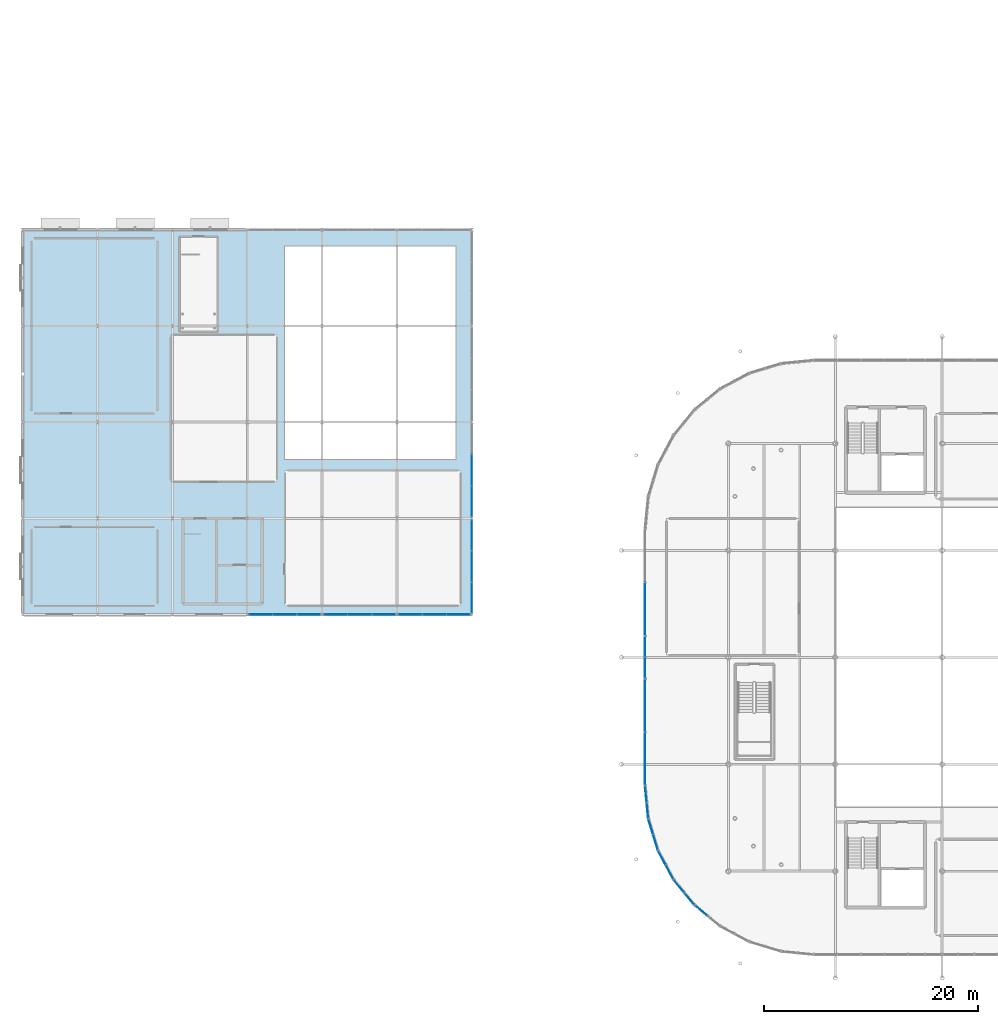
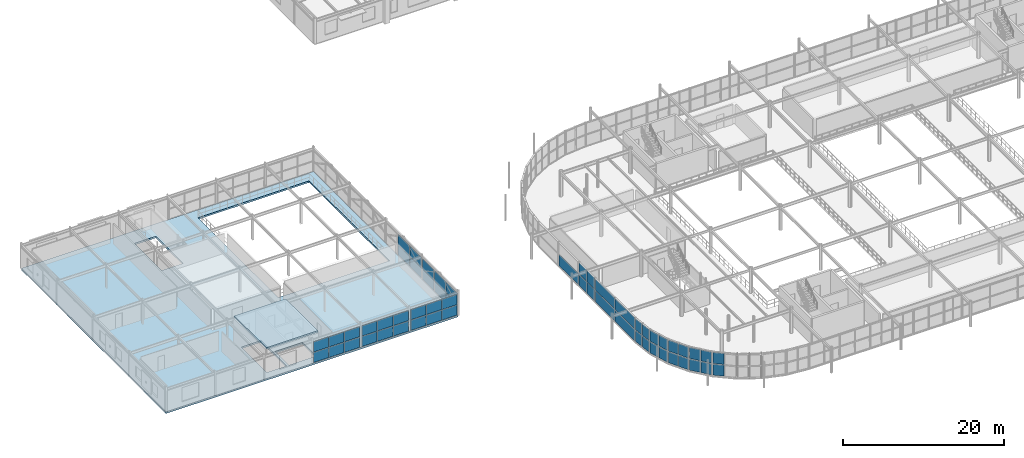
# One storey, part 64 of 98: 55 plates, 2 slabs, 13 elements without a shape of their own.
"""IFC4 building model written with IfcOpenShell, lengths in metres."""

from ifc_helpers import new_model, si_unit, derived_unit, direction, frame, origin, origin_2d_with_axis, place, context, subcontext, project, spatial, polyline, rectangle, outline, extrude, material, layer, layer_set, type_object, element, aggregate, save


model = new_model("IFC4")

# Units and contexts
model_context = context("Model", 3, precision=1e-05, world=origin(), true_north=direction((0.0, 1.0)))
body_context = subcontext(model_context, "Body", "Model", "MODEL_VIEW")
ifc_project = project(units=[si_unit("LENGTHUNIT", "METRE"), si_unit("AREAUNIT", "SQUARE_METRE"), si_unit("VOLUMEUNIT", "CUBIC_METRE"), si_unit("PLANEANGLEUNIT", "RADIAN"), si_unit("MASSUNIT", "GRAM", prefix="KILO"), derived_unit("THERMALTRANSMITTANCEUNIT", [(si_unit("POWERUNIT", "WATT"), 1), (si_unit("LENGTHUNIT", "METRE"), -2), (si_unit("THERMODYNAMICTEMPERATUREUNIT", "KELVIN"), -1)])], contexts=[model_context])

# Site, building, storey
site_placement = place(None, origin())
site = spatial("IfcSite", under=ifc_project, at=site_placement, CompositionType="ELEMENT")
building_placement = place(site_placement, origin())
building = spatial("IfcBuilding", under=site, at=building_placement, Name="Cinnabar Yard Market Hall", CompositionType="ELEMENT")
storey_placement = place(building_placement, frame((0.0, 0.0, 4.5)))
storey = spatial("IfcBuildingStorey", under=building, at=storey_placement, Name="L01", CompositionType="ELEMENT", Elevation=4.5)

# Curtain wall, plates
ifc_material_1 = material(Name="Anodised bronze aluminium curved-chord facade", Category="aluminium")
curtain_wall_type_1 = type_object("IfcCurtainWallType", Name="CW-CWC031x36", PredefinedType="NOTDEFINED", material=ifc_material_1)
curtain_wall_1_placement = place(storey_placement, origin())
curtain_wall_1 = element("IfcCurtainWall", 1, at=curtain_wall_1_placement, inside=storey, type_object=curtain_wall_type_1, Name="Corner SW Chord 1 L01", PredefinedType="NOTDEFINED")
ifc_material_2 = material(Name="Low-E laminated glass", Category="glass")
ifc_layer_1 = layer(ifc_material_2, 0.031982421875)
ifc_layer_set_1 = layer_set([ifc_layer_1], Name="Low-E laminated glass")
plate_type_1 = type_object("IfcPlateType", Name="CWP-GP141x169", PredefinedType="CURTAIN_PANEL", material=ifc_layer_set_1)
plate_1_placement = place(storey_placement, frame((68.278076171875, 31.20703125, 0.090087890625), z_axis=(0.0, 0.0, 1.0), x_axis=(0.098020369342, -0.995184408637, 0.0)))
plate_1 = element("IfcPlate", 2, at=plate_1_placement, type_object=plate_type_1, Name="CWC031x36 panel 1.1", PredefinedType="CURTAIN_PANEL", context=body_context, shape_type="SweptSolid", body=[
    extrude(rectangle(XDim=1.41357421875, YDim=0.031982421875, at=origin_2d_with_axis()), origin(), (0.0, 0.0, 1.0), 1.68994140625),
])
plate_2_placement = place(storey_placement, frame((68.278076171875, 31.20703125, 1.8701171875), z_axis=(0.0, 0.0, 1.0), x_axis=(0.098020369342, -0.995184408637, 0.0)))
plate_2 = element("IfcPlate", 3, at=plate_2_placement, type_object=plate_type_1, Name="CWC031x36 panel 1.2", PredefinedType="CURTAIN_PANEL", context=body_context, shape_type="SweptSolid", body=[
    extrude(rectangle(XDim=1.41357421875, YDim=0.031982421875, at=origin_2d_with_axis()), origin(), (0.0, 0.0, 1.0), 1.68994140625),
])
plate_3_placement = place(storey_placement, frame((68.425537109375, 29.710693359375, 0.090087890625), z_axis=(0.0, 0.0, 1.0), x_axis=(0.098020369342, -0.995184408637, 0.0)))
plate_3 = element("IfcPlate", 4, at=plate_3_placement, type_object=plate_type_1, Name="CWC031x36 panel 2.1", PredefinedType="CURTAIN_PANEL", context=body_context, shape_type="SweptSolid", body=[
    extrude(rectangle(XDim=1.41357421875, YDim=0.031982421875, at=origin_2d_with_axis()), origin(), (0.0, 0.0, 1.0), 1.68994140625),
])
plate_4_placement = place(storey_placement, frame((68.425537109375, 29.710693359375, 1.8701171875), z_axis=(0.0, 0.0, 1.0), x_axis=(0.098020369342, -0.995184408637, 0.0)))
plate_4 = element("IfcPlate", 5, at=plate_4_placement, type_object=plate_type_1, Name="CWC031x36 panel 2.2", PredefinedType="CURTAIN_PANEL", context=body_context, shape_type="SweptSolid", body=[
    extrude(rectangle(XDim=1.41357421875, YDim=0.031982421875, at=origin_2d_with_axis()), origin(), (0.0, 0.0, 1.0), 1.68994140625),
])
aggregate(curtain_wall_1, [plate_1, plate_2, plate_3, plate_4])

curtain_wall_2_placement = place(storey_placement, origin())
curtain_wall_2 = element("IfcCurtainWall", 6, at=curtain_wall_2_placement, inside=storey, type_object=curtain_wall_type_1, Name="Corner SW Chord 2 L01", PredefinedType="NOTDEFINED")
plate_5_placement = place(storey_placement, frame((68.73486328125, 28.155029296875, 0.090087890625), z_axis=(0.0, 0.0, 1.0), x_axis=(0.290278891325, -0.956942090856, 0.0)))
plate_5 = element("IfcPlate", 7, at=plate_5_placement, type_object=plate_type_1, Name="CWC031x36 panel 1.1", PredefinedType="CURTAIN_PANEL", context=body_context, shape_type="SweptSolid", body=[
    extrude(rectangle(XDim=1.41357421875, YDim=0.031982421875, at=origin_2d_with_axis()), origin(), (0.0, 0.0, 1.0), 1.68994140625),
])
plate_6_placement = place(storey_placement, frame((68.73486328125, 28.155029296875, 1.8701171875), z_axis=(0.0, 0.0, 1.0), x_axis=(0.290278891325, -0.956942090856, 0.0)))
plate_6 = element("IfcPlate", 8, at=plate_6_placement, type_object=plate_type_1, Name="CWC031x36 panel 1.2", PredefinedType="CURTAIN_PANEL", context=body_context, shape_type="SweptSolid", body=[
    extrude(rectangle(XDim=1.41357421875, YDim=0.031982421875, at=origin_2d_with_axis()), origin(), (0.0, 0.0, 1.0), 1.68994140625),
])
plate_7_placement = place(storey_placement, frame((69.17138671875, 26.716064453125, 0.090087890625), z_axis=(0.0, 0.0, 1.0), x_axis=(0.290278891325, -0.956942090856, 0.0)))
plate_7 = element("IfcPlate", 9, at=plate_7_placement, type_object=plate_type_1, Name="CWC031x36 panel 2.1", PredefinedType="CURTAIN_PANEL", context=body_context, shape_type="SweptSolid", body=[
    extrude(rectangle(XDim=1.41357421875, YDim=0.031982421875, at=origin_2d_with_axis()), origin(), (0.0, 0.0, 1.0), 1.68994140625),
])
plate_8_placement = place(storey_placement, frame((69.17138671875, 26.716064453125, 1.8701171875), z_axis=(0.0, 0.0, 1.0), x_axis=(0.290278891325, -0.956942090856, 0.0)))
plate_8 = element("IfcPlate", 10, at=plate_8_placement, type_object=plate_type_1, Name="CWC031x36 panel 2.2", PredefinedType="CURTAIN_PANEL", context=body_context, shape_type="SweptSolid", body=[
    extrude(rectangle(XDim=1.41357421875, YDim=0.031982421875, at=origin_2d_with_axis()), origin(), (0.0, 0.0, 1.0), 1.68994140625),
])
aggregate(curtain_wall_2, [plate_5, plate_6, plate_7, plate_8])

curtain_wall_3_placement = place(storey_placement, origin())
curtain_wall_3 = element("IfcCurtainWall", 11, at=curtain_wall_3_placement, inside=storey, type_object=curtain_wall_type_1, Name="Corner SW Chord 3 L01", PredefinedType="NOTDEFINED")
plate_9_placement = place(storey_placement, frame((69.7783203125, 25.2509765625, 0.090087890625), z_axis=(0.0, 0.0, 1.0), x_axis=(0.471404114786, -0.881917320707, 0.0)))
plate_9 = element("IfcPlate", 12, at=plate_9_placement, type_object=plate_type_1, Name="CWC031x36 panel 1.1", PredefinedType="CURTAIN_PANEL", context=body_context, shape_type="SweptSolid", body=[
    extrude(rectangle(XDim=1.41357421875, YDim=0.031982421875, at=origin_2d_with_axis()), origin(), (0.0, 0.0, 1.0), 1.68994140625),
])
plate_10_placement = place(storey_placement, frame((69.7783203125, 25.2509765625, 1.8701171875), z_axis=(0.0, 0.0, 1.0), x_axis=(0.471404114786, -0.881917320707, 0.0)))
plate_10 = element("IfcPlate", 13, at=plate_10_placement, type_object=plate_type_1, Name="CWC031x36 panel 1.2", PredefinedType="CURTAIN_PANEL", context=body_context, shape_type="SweptSolid", body=[
    extrude(rectangle(XDim=1.41357421875, YDim=0.031982421875, at=origin_2d_with_axis()), origin(), (0.0, 0.0, 1.0), 1.68994140625),
])
plate_11_placement = place(storey_placement, frame((70.487060546875, 23.9248046875, 0.090087890625), z_axis=(0.0, 0.0, 1.0), x_axis=(0.471404114786, -0.881917320707, 0.0)))
plate_11 = element("IfcPlate", 14, at=plate_11_placement, type_object=plate_type_1, Name="CWC031x36 panel 2.1", PredefinedType="CURTAIN_PANEL", context=body_context, shape_type="SweptSolid", body=[
    extrude(rectangle(XDim=1.41357421875, YDim=0.031982421875, at=origin_2d_with_axis()), origin(), (0.0, 0.0, 1.0), 1.68994140625),
])
plate_12_placement = place(storey_placement, frame((70.487060546875, 23.9248046875, 1.8701171875), z_axis=(0.0, 0.0, 1.0), x_axis=(0.471404114786, -0.881917320707, 0.0)))
plate_12 = element("IfcPlate", 15, at=plate_12_placement, type_object=plate_type_1, Name="CWC031x36 panel 2.2", PredefinedType="CURTAIN_PANEL", context=body_context, shape_type="SweptSolid", body=[
    extrude(rectangle(XDim=1.41357421875, YDim=0.031982421875, at=origin_2d_with_axis()), origin(), (0.0, 0.0, 1.0), 1.68994140625),
])
aggregate(curtain_wall_3, [plate_9, plate_10, plate_11, plate_12])

curtain_wall_4_placement = place(storey_placement, origin())
curtain_wall_4 = element("IfcCurtainWall", 16, at=curtain_wall_4_placement, inside=storey, type_object=curtain_wall_type_1, Name="Corner SW Chord 4 L01", PredefinedType="NOTDEFINED")
plate_13_placement = place(storey_placement, frame((71.368408203125, 22.60595703125, 0.090087890625), z_axis=(0.0, 0.0, 1.0), x_axis=(0.634383400924, -0.773018564222, 0.0)))
plate_13 = element("IfcPlate", 17, at=plate_13_placement, type_object=plate_type_1, Name="CWC031x36 panel 1.1", PredefinedType="CURTAIN_PANEL", context=body_context, shape_type="SweptSolid", body=[
    extrude(rectangle(XDim=1.41357421875, YDim=0.031982421875, at=origin_2d_with_axis()), origin(), (0.0, 0.0, 1.0), 1.68994140625),
])
plate_14_placement = place(storey_placement, frame((71.368408203125, 22.60595703125, 1.8701171875), z_axis=(0.0, 0.0, 1.0), x_axis=(0.634383400924, -0.773018564222, 0.0)))
plate_14 = element("IfcPlate", 18, at=plate_14_placement, type_object=plate_type_1, Name="CWC031x36 panel 1.2", PredefinedType="CURTAIN_PANEL", context=body_context, shape_type="SweptSolid", body=[
    extrude(rectangle(XDim=1.41357421875, YDim=0.031982421875, at=origin_2d_with_axis()), origin(), (0.0, 0.0, 1.0), 1.68994140625),
])
plate_15_placement = place(storey_placement, frame((72.322265625, 21.443603515625, 0.090087890625), z_axis=(0.0, 0.0, 1.0), x_axis=(0.634383400924, -0.773018564222, 0.0)))
plate_15 = element("IfcPlate", 19, at=plate_15_placement, type_object=plate_type_1, Name="CWC031x36 panel 2.1", PredefinedType="CURTAIN_PANEL", context=body_context, shape_type="SweptSolid", body=[
    extrude(rectangle(XDim=1.41357421875, YDim=0.031982421875, at=origin_2d_with_axis()), origin(), (0.0, 0.0, 1.0), 1.68994140625),
])
plate_16_placement = place(storey_placement, frame((72.322265625, 21.443603515625, 1.8701171875), z_axis=(0.0, 0.0, 1.0), x_axis=(0.634383400924, -0.773018564222, 0.0)))
plate_16 = element("IfcPlate", 20, at=plate_16_placement, type_object=plate_type_1, Name="CWC031x36 panel 2.2", PredefinedType="CURTAIN_PANEL", context=body_context, shape_type="SweptSolid", body=[
    extrude(rectangle(XDim=1.41357421875, YDim=0.031982421875, at=origin_2d_with_axis()), origin(), (0.0, 0.0, 1.0), 1.68994140625),
])
aggregate(curtain_wall_4, [plate_13, plate_14, plate_15, plate_16])

curtain_wall_5_placement = place(storey_placement, origin())
curtain_wall_5 = element("IfcCurtainWall", 21, at=curtain_wall_5_placement, inside=storey, type_object=curtain_wall_type_1, Name="Corner SW Chord 5 L01", PredefinedType="NOTDEFINED")
plate_17_placement = place(storey_placement, frame((73.443603515625, 20.322265625, 0.090087890625), z_axis=(0.0, 0.0, 1.0), x_axis=(0.773018564222, -0.634383400924, 0.0)))
plate_17 = element("IfcPlate", 22, at=plate_17_placement, type_object=plate_type_1, Name="CWC031x36 panel 1.1", PredefinedType="CURTAIN_PANEL", context=body_context, shape_type="SweptSolid", body=[
    extrude(rectangle(XDim=1.41357421875, YDim=0.031982421875, at=origin_2d_with_axis()), origin(), (0.0, 0.0, 1.0), 1.68994140625),
])
plate_18_placement = place(storey_placement, frame((73.443603515625, 20.322265625, 1.8701171875), z_axis=(0.0, 0.0, 1.0), x_axis=(0.773018564222, -0.634383400924, 0.0)))
plate_18 = element("IfcPlate", 23, at=plate_18_placement, type_object=plate_type_1, Name="CWC031x36 panel 1.2", PredefinedType="CURTAIN_PANEL", context=body_context, shape_type="SweptSolid", body=[
    extrude(rectangle(XDim=1.41357421875, YDim=0.031982421875, at=origin_2d_with_axis()), origin(), (0.0, 0.0, 1.0), 1.68994140625),
])
aggregate(curtain_wall_5, [plate_17, plate_18])

ifc_material_3 = material(Name="Anodised bronze aluminium and low-E glass", Category="aluminium")
curtain_wall_type_2 = type_object("IfcCurtainWallType", Name="CW-CWH040x36", PredefinedType="NOTDEFINED", material=ifc_material_3)
curtain_wall_6_placement = place(storey_placement, origin())
curtain_wall_6 = element("IfcCurtainWall", 24, at=curtain_wall_6_placement, inside=storey, type_object=curtain_wall_type_2, Name="Market Hall West Gallery Glazing WPT", PredefinedType="NOTDEFINED")
ifc_layer_2 = layer(ifc_material_2, 0.031982421875)
ifc_layer_set_2 = layer_set([ifc_layer_2], Name="Low-E laminated glass")
plate_type_2 = type_object("IfcPlateType", Name="CWP-GP188x171", PredefinedType="CURTAIN_PANEL", material=ifc_layer_set_2)
plate_19_placement = place(storey_placement, frame((68.199951171875, 44.97998046875, 0.080078125), z_axis=(0.0, 0.0, 1.0), x_axis=(0.0, -1.0, 0.0)))
plate_19 = element("IfcPlate", 25, at=plate_19_placement, type_object=plate_type_2, Name="CWH040x36 panel 1.1", PredefinedType="CURTAIN_PANEL", context=body_context, shape_type="SweptSolid", body=[
    extrude(rectangle(XDim=1.8798828125, YDim=0.031982421875, at=origin_2d_with_axis()), origin(), (0.0, 0.0, 1.0), 1.705078125),
])
plate_20_placement = place(storey_placement, frame((68.199951171875, 44.97998046875, 1.864990234375), z_axis=(0.0, 0.0, 1.0), x_axis=(0.0, -1.0, 0.0)))
plate_20 = element("IfcPlate", 26, at=plate_20_placement, type_object=plate_type_2, Name="CWH040x36 panel 1.2", PredefinedType="CURTAIN_PANEL", context=body_context, shape_type="SweptSolid", body=[
    extrude(rectangle(XDim=1.8798828125, YDim=0.031982421875, at=origin_2d_with_axis()), origin(), (0.0, 0.0, 1.0), 1.705078125),
])
plate_21_placement = place(storey_placement, frame((68.199951171875, 43.02001953125, 0.080078125), z_axis=(0.0, 0.0, 1.0), x_axis=(0.0, -1.0, 0.0)))
plate_21 = element("IfcPlate", 27, at=plate_21_placement, type_object=plate_type_2, Name="CWH040x36 panel 2.1", PredefinedType="CURTAIN_PANEL", context=body_context, shape_type="SweptSolid", body=[
    extrude(rectangle(XDim=1.8798828125, YDim=0.031982421875, at=origin_2d_with_axis()), origin(), (0.0, 0.0, 1.0), 1.705078125),
])
plate_22_placement = place(storey_placement, frame((68.199951171875, 43.02001953125, 1.864990234375), z_axis=(0.0, 0.0, 1.0), x_axis=(0.0, -1.0, 0.0)))
plate_22 = element("IfcPlate", 28, at=plate_22_placement, type_object=plate_type_2, Name="CWH040x36 panel 2.2", PredefinedType="CURTAIN_PANEL", context=body_context, shape_type="SweptSolid", body=[
    extrude(rectangle(XDim=1.8798828125, YDim=0.031982421875, at=origin_2d_with_axis()), origin(), (0.0, 0.0, 1.0), 1.705078125),
])
aggregate(curtain_wall_6, [plate_19, plate_20, plate_21, plate_22])

ifc_material_4 = material(Name="Anodised bronze aluminium courtyard facade", Category="aluminium")
curtain_wall_type_3 = type_object("IfcCurtainWallType", Name="CW-CWF068x33", PredefinedType="NOTDEFINED", material=ifc_material_4)
curtain_wall_7_placement = place(storey_placement, origin())
curtain_wall_7 = element("IfcCurtainWall", 29, at=curtain_wall_7_placement, inside=storey, type_object=curtain_wall_type_3, Name="Pavilion South Glazed Arcade L01 Bay 4", PredefinedType="NOTDEFINED")
ifc_layer_3 = layer(ifc_material_2, 0.031982421875)
ifc_layer_set_3 = layer_set([ifc_layer_3], Name="Low-E laminated glass")
plate_type_3 = type_object("IfcPlateType", Name="CWP-GP215x153", PredefinedType="CURTAIN_PANEL", material=ifc_layer_set_3)
plate_23_placement = place(storey_placement, frame((32.252197265625, 48.0, 0.0751953125), z_axis=(0.0, 0.0, 1.0), x_axis=(1.0, 0.0, 0.0)))
plate_23 = element("IfcPlate", 30, at=plate_23_placement, type_object=plate_type_3, Name="CWF068x33 panel 1.1", PredefinedType="CURTAIN_PANEL", context=body_context, shape_type="SweptSolid", body=[
    extrude(rectangle(XDim=2.154052734375, YDim=0.031982421875, at=origin_2d_with_axis()), origin(), (0.0, 0.0, 1.0), 1.532470703125),
])
plate_24_placement = place(storey_placement, frame((32.252197265625, 48.0, 1.6826171875), z_axis=(0.0, 0.0, 1.0), x_axis=(1.0, 0.0, 0.0)))
plate_24 = element("IfcPlate", 31, at=plate_24_placement, type_object=plate_type_3, Name="CWF068x33 panel 1.2", PredefinedType="CURTAIN_PANEL", context=body_context, shape_type="SweptSolid", body=[
    extrude(rectangle(XDim=2.154052734375, YDim=0.031982421875, at=origin_2d_with_axis()), origin(), (0.0, 0.0, 1.0), 1.532470703125),
])
plate_25_placement = place(storey_placement, frame((36.747802734375, 48.0, 0.0751953125), z_axis=(0.0, 0.0, 1.0), x_axis=(1.0, 0.0, 0.0)))
plate_25 = element("IfcPlate", 32, at=plate_25_placement, type_object=plate_type_3, Name="CWF068x33 panel 3.1", PredefinedType="CURTAIN_PANEL", context=body_context, shape_type="SweptSolid", body=[
    extrude(rectangle(XDim=2.154052734375, YDim=0.031982421875, at=origin_2d_with_axis()), origin(), (0.0, 0.0, 1.0), 1.532470703125),
])
plate_26_placement = place(storey_placement, frame((36.747802734375, 48.0, 1.6826171875), z_axis=(0.0, 0.0, 1.0), x_axis=(1.0, 0.0, 0.0)))
plate_26 = element("IfcPlate", 33, at=plate_26_placement, type_object=plate_type_3, Name="CWF068x33 panel 3.2", PredefinedType="CURTAIN_PANEL", context=body_context, shape_type="SweptSolid", body=[
    extrude(rectangle(XDim=2.154052734375, YDim=0.031982421875, at=origin_2d_with_axis()), origin(), (0.0, 0.0, 1.0), 1.532470703125),
])

curtain_wall_8_placement = place(storey_placement, origin())
curtain_wall_8 = element("IfcCurtainWall", 34, at=curtain_wall_8_placement, inside=storey, type_object=curtain_wall_type_3, Name="Pavilion South Glazed Arcade L01 Bay 5", PredefinedType="NOTDEFINED")
plate_27_placement = place(storey_placement, frame((39.252197265625, 48.0, 0.0751953125), z_axis=(0.0, 0.0, 1.0), x_axis=(1.0, 0.0, 0.0)))
plate_27 = element("IfcPlate", 35, at=plate_27_placement, type_object=plate_type_3, Name="CWF068x33 panel 1.1", PredefinedType="CURTAIN_PANEL", context=body_context, shape_type="SweptSolid", body=[
    extrude(rectangle(XDim=2.154052734375, YDim=0.031982421875, at=origin_2d_with_axis()), origin(), (0.0, 0.0, 1.0), 1.532470703125),
])
plate_28_placement = place(storey_placement, frame((39.252197265625, 48.0, 1.6826171875), z_axis=(0.0, 0.0, 1.0), x_axis=(1.0, 0.0, 0.0)))
plate_28 = element("IfcPlate", 36, at=plate_28_placement, type_object=plate_type_3, Name="CWF068x33 panel 1.2", PredefinedType="CURTAIN_PANEL", context=body_context, shape_type="SweptSolid", body=[
    extrude(rectangle(XDim=2.154052734375, YDim=0.031982421875, at=origin_2d_with_axis()), origin(), (0.0, 0.0, 1.0), 1.532470703125),
])
plate_29_placement = place(storey_placement, frame((43.747802734375, 48.0, 0.0751953125), z_axis=(0.0, 0.0, 1.0), x_axis=(1.0, 0.0, 0.0)))
plate_29 = element("IfcPlate", 37, at=plate_29_placement, type_object=plate_type_3, Name="CWF068x33 panel 3.1", PredefinedType="CURTAIN_PANEL", context=body_context, shape_type="SweptSolid", body=[
    extrude(rectangle(XDim=2.154052734375, YDim=0.031982421875, at=origin_2d_with_axis()), origin(), (0.0, 0.0, 1.0), 1.532470703125),
])
plate_30_placement = place(storey_placement, frame((43.747802734375, 48.0, 1.6826171875), z_axis=(0.0, 0.0, 1.0), x_axis=(1.0, 0.0, 0.0)))
plate_30 = element("IfcPlate", 38, at=plate_30_placement, type_object=plate_type_3, Name="CWF068x33 panel 3.2", PredefinedType="CURTAIN_PANEL", context=body_context, shape_type="SweptSolid", body=[
    extrude(rectangle(XDim=2.154052734375, YDim=0.031982421875, at=origin_2d_with_axis()), origin(), (0.0, 0.0, 1.0), 1.532470703125),
])

curtain_wall_9_placement = place(storey_placement, origin())
curtain_wall_9 = element("IfcCurtainWall", 39, at=curtain_wall_9_placement, inside=storey, type_object=curtain_wall_type_3, Name="Pavilion South Glazed Arcade L01 Bay 6", PredefinedType="NOTDEFINED")
plate_31_placement = place(storey_placement, frame((46.252197265625, 48.0, 0.0751953125), z_axis=(0.0, 0.0, 1.0), x_axis=(1.0, 0.0, 0.0)))
plate_31 = element("IfcPlate", 40, at=plate_31_placement, type_object=plate_type_3, Name="CWF068x33 panel 1.1", PredefinedType="CURTAIN_PANEL", context=body_context, shape_type="SweptSolid", body=[
    extrude(rectangle(XDim=2.154052734375, YDim=0.031982421875, at=origin_2d_with_axis()), origin(), (0.0, 0.0, 1.0), 1.532470703125),
])
plate_32_placement = place(storey_placement, frame((46.252197265625, 48.0, 1.6826171875), z_axis=(0.0, 0.0, 1.0), x_axis=(1.0, 0.0, 0.0)))
plate_32 = element("IfcPlate", 41, at=plate_32_placement, type_object=plate_type_3, Name="CWF068x33 panel 1.2", PredefinedType="CURTAIN_PANEL", context=body_context, shape_type="SweptSolid", body=[
    extrude(rectangle(XDim=2.154052734375, YDim=0.031982421875, at=origin_2d_with_axis()), origin(), (0.0, 0.0, 1.0), 1.532470703125),
])
plate_33_placement = place(storey_placement, frame((50.747802734375, 48.0, 0.0751953125), z_axis=(0.0, 0.0, 1.0), x_axis=(1.0, 0.0, 0.0)))
plate_33 = element("IfcPlate", 42, at=plate_33_placement, type_object=plate_type_3, Name="CWF068x33 panel 3.1", PredefinedType="CURTAIN_PANEL", context=body_context, shape_type="SweptSolid", body=[
    extrude(rectangle(XDim=2.154052734375, YDim=0.031982421875, at=origin_2d_with_axis()), origin(), (0.0, 0.0, 1.0), 1.532470703125),
])
plate_34_placement = place(storey_placement, frame((50.747802734375, 48.0, 1.6826171875), z_axis=(0.0, 0.0, 1.0), x_axis=(1.0, 0.0, 0.0)))
plate_34 = element("IfcPlate", 43, at=plate_34_placement, type_object=plate_type_3, Name="CWF068x33 panel 3.2", PredefinedType="CURTAIN_PANEL", context=body_context, shape_type="SweptSolid", body=[
    extrude(rectangle(XDim=2.154052734375, YDim=0.031982421875, at=origin_2d_with_axis()), origin(), (0.0, 0.0, 1.0), 1.532470703125),
])

# Plate
ifc_layer_4 = layer(ifc_material_2, 0.031982421875)
ifc_layer_set_4 = layer_set([ifc_layer_4], Name="Low-E laminated glass")
plate_type_4 = type_object("IfcPlateType", Name="CWP-GP219x153", PredefinedType="CURTAIN_PANEL", material=ifc_layer_set_4)
plate_35_placement = place(storey_placement, frame((34.5, 48.0, 0.0751953125), z_axis=(0.0, 0.0, 1.0), x_axis=(1.0, 0.0, 0.0)))
plate_35 = element("IfcPlate", 44, at=plate_35_placement, type_object=plate_type_4, Name="CWF068x33 panel 2.1", PredefinedType="CURTAIN_PANEL", context=body_context, shape_type="SweptSolid", body=[
    extrude(rectangle(XDim=2.191650390625, YDim=0.031982421875, at=origin_2d_with_axis()), origin(), (0.0, 0.0, 1.0), 1.532470703125),
])

plate_36_placement = place(storey_placement, frame((34.5, 48.0, 1.6826171875), z_axis=(0.0, 0.0, 1.0), x_axis=(1.0, 0.0, 0.0)))
plate_36 = element("IfcPlate", 45, at=plate_36_placement, type_object=plate_type_4, Name="CWF068x33 panel 2.2", PredefinedType="CURTAIN_PANEL", context=body_context, shape_type="SweptSolid", body=[
    extrude(rectangle(XDim=2.191650390625, YDim=0.031982421875, at=origin_2d_with_axis()), origin(), (0.0, 0.0, 1.0), 1.532470703125),
])

aggregate(curtain_wall_7, [plate_23, plate_24, plate_35, plate_36, plate_25, plate_26])

plate_37_placement = place(storey_placement, frame((41.5, 48.0, 0.0751953125), z_axis=(0.0, 0.0, 1.0), x_axis=(1.0, 0.0, 0.0)))
plate_37 = element("IfcPlate", 46, at=plate_37_placement, type_object=plate_type_4, Name="CWF068x33 panel 2.1", PredefinedType="CURTAIN_PANEL", context=body_context, shape_type="SweptSolid", body=[
    extrude(rectangle(XDim=2.191650390625, YDim=0.031982421875, at=origin_2d_with_axis()), origin(), (0.0, 0.0, 1.0), 1.532470703125),
])

plate_38_placement = place(storey_placement, frame((41.5, 48.0, 1.6826171875), z_axis=(0.0, 0.0, 1.0), x_axis=(1.0, 0.0, 0.0)))
plate_38 = element("IfcPlate", 47, at=plate_38_placement, type_object=plate_type_4, Name="CWF068x33 panel 2.2", PredefinedType="CURTAIN_PANEL", context=body_context, shape_type="SweptSolid", body=[
    extrude(rectangle(XDim=2.191650390625, YDim=0.031982421875, at=origin_2d_with_axis()), origin(), (0.0, 0.0, 1.0), 1.532470703125),
])

aggregate(curtain_wall_8, [plate_27, plate_28, plate_37, plate_38, plate_29, plate_30])

plate_39_placement = place(storey_placement, frame((48.5, 48.0, 0.0751953125), z_axis=(0.0, 0.0, 1.0), x_axis=(1.0, 0.0, 0.0)))
plate_39 = element("IfcPlate", 48, at=plate_39_placement, type_object=plate_type_4, Name="CWF068x33 panel 2.1", PredefinedType="CURTAIN_PANEL", context=body_context, shape_type="SweptSolid", body=[
    extrude(rectangle(XDim=2.191650390625, YDim=0.031982421875, at=origin_2d_with_axis()), origin(), (0.0, 0.0, 1.0), 1.532470703125),
])

plate_40_placement = place(storey_placement, frame((48.5, 48.0, 1.6826171875), z_axis=(0.0, 0.0, 1.0), x_axis=(1.0, 0.0, 0.0)))
plate_40 = element("IfcPlate", 49, at=plate_40_placement, type_object=plate_type_4, Name="CWF068x33 panel 2.2", PredefinedType="CURTAIN_PANEL", context=body_context, shape_type="SweptSolid", body=[
    extrude(rectangle(XDim=2.191650390625, YDim=0.031982421875, at=origin_2d_with_axis()), origin(), (0.0, 0.0, 1.0), 1.532470703125),
])

aggregate(curtain_wall_9, [plate_31, plate_32, plate_39, plate_40, plate_33, plate_34])

# Curtain wall, plates
curtain_wall_type_4 = type_object("IfcCurtainWallType", Name="CW-CWF088x33", PredefinedType="NOTDEFINED", material=ifc_material_4)
curtain_wall_10_placement = place(storey_placement, origin())
curtain_wall_10 = element("IfcCurtainWall", 50, at=curtain_wall_10_placement, inside=storey, type_object=curtain_wall_type_4, Name="Pavilion Courtyard Glazing L01 Bay 1", PredefinedType="NOTDEFINED")
ifc_layer_5 = layer(ifc_material_2, 0.031982421875)
ifc_layer_set_5 = layer_set([ifc_layer_5], Name="Low-E laminated glass")
plate_type_5 = type_object("IfcPlateType", Name="CWP-GP282x153", PredefinedType="CURTAIN_PANEL", material=ifc_layer_set_5)
plate_41_placement = place(storey_placement, frame((52.0, 49.58544921875, 0.0751953125), z_axis=(0.0, 0.0, 1.0), x_axis=(0.0, 1.0, 0.0)))
plate_41 = element("IfcPlate", 51, at=plate_41_placement, type_object=plate_type_5, Name="CWF088x33 panel 1.1", PredefinedType="CURTAIN_PANEL", context=body_context, shape_type="SweptSolid", body=[
    extrude(rectangle(XDim=2.82080078125, YDim=0.031982421875, at=origin_2d_with_axis()), origin(), (0.0, 0.0, 1.0), 1.532470703125),
])
plate_42_placement = place(storey_placement, frame((52.0, 49.58544921875, 1.6826171875), z_axis=(0.0, 0.0, 1.0), x_axis=(0.0, 1.0, 0.0)))
plate_42 = element("IfcPlate", 52, at=plate_42_placement, type_object=plate_type_5, Name="CWF088x33 panel 1.2", PredefinedType="CURTAIN_PANEL", context=body_context, shape_type="SweptSolid", body=[
    extrude(rectangle(XDim=2.82080078125, YDim=0.031982421875, at=origin_2d_with_axis()), origin(), (0.0, 0.0, 1.0), 1.532470703125),
])
plate_43_placement = place(storey_placement, frame((52.0, 55.41455078125, 0.0751953125), z_axis=(0.0, 0.0, 1.0), x_axis=(0.0, 1.0, 0.0)))
plate_43 = element("IfcPlate", 53, at=plate_43_placement, type_object=plate_type_5, Name="CWF088x33 panel 3.1", PredefinedType="CURTAIN_PANEL", context=body_context, shape_type="SweptSolid", body=[
    extrude(rectangle(XDim=2.82080078125, YDim=0.031982421875, at=origin_2d_with_axis()), origin(), (0.0, 0.0, 1.0), 1.532470703125),
])
plate_44_placement = place(storey_placement, frame((52.0, 55.41455078125, 1.6826171875), z_axis=(0.0, 0.0, 1.0), x_axis=(0.0, 1.0, 0.0)))
plate_44 = element("IfcPlate", 54, at=plate_44_placement, type_object=plate_type_5, Name="CWF088x33 panel 3.2", PredefinedType="CURTAIN_PANEL", context=body_context, shape_type="SweptSolid", body=[
    extrude(rectangle(XDim=2.82080078125, YDim=0.031982421875, at=origin_2d_with_axis()), origin(), (0.0, 0.0, 1.0), 1.532470703125),
])

curtain_wall_11_placement = place(storey_placement, origin())
curtain_wall_11 = element("IfcCurtainWall", 55, at=curtain_wall_11_placement, inside=storey, type_object=curtain_wall_type_4, Name="Pavilion Courtyard Glazing L01 Bay 2", PredefinedType="NOTDEFINED")
plate_45_placement = place(storey_placement, frame((52.0, 58.58544921875, 0.0751953125), z_axis=(0.0, 0.0, 1.0), x_axis=(0.0, 1.0, 0.0)))
plate_45 = element("IfcPlate", 56, at=plate_45_placement, type_object=plate_type_5, Name="CWF088x33 panel 1.1", PredefinedType="CURTAIN_PANEL", context=body_context, shape_type="SweptSolid", body=[
    extrude(rectangle(XDim=2.82080078125, YDim=0.031982421875, at=origin_2d_with_axis()), origin(), (0.0, 0.0, 1.0), 1.532470703125),
])
plate_46_placement = place(storey_placement, frame((52.0, 58.58544921875, 1.6826171875), z_axis=(0.0, 0.0, 1.0), x_axis=(0.0, 1.0, 0.0)))
plate_46 = element("IfcPlate", 57, at=plate_46_placement, type_object=plate_type_5, Name="CWF088x33 panel 1.2", PredefinedType="CURTAIN_PANEL", context=body_context, shape_type="SweptSolid", body=[
    extrude(rectangle(XDim=2.82080078125, YDim=0.031982421875, at=origin_2d_with_axis()), origin(), (0.0, 0.0, 1.0), 1.532470703125),
])

# Plate
ifc_layer_6 = layer(ifc_material_2, 0.031982421875)
ifc_layer_set_6 = layer_set([ifc_layer_6], Name="Low-E laminated glass")
plate_type_6 = type_object("IfcPlateType", Name="CWP-GP286x153", PredefinedType="CURTAIN_PANEL", material=ifc_layer_set_6)
plate_47_placement = place(storey_placement, frame((52.0, 52.5, 0.0751953125), z_axis=(0.0, 0.0, 1.0), x_axis=(0.0, 1.0, 0.0)))
plate_47 = element("IfcPlate", 58, at=plate_47_placement, type_object=plate_type_6, Name="CWF088x33 panel 2.1", PredefinedType="CURTAIN_PANEL", context=body_context, shape_type="SweptSolid", body=[
    extrude(rectangle(XDim=2.8583984375, YDim=0.031982421875, at=origin_2d_with_axis()), origin(), (0.0, 0.0, 1.0), 1.532470703125),
])

plate_48_placement = place(storey_placement, frame((52.0, 52.5, 1.6826171875), z_axis=(0.0, 0.0, 1.0), x_axis=(0.0, 1.0, 0.0)))
plate_48 = element("IfcPlate", 59, at=plate_48_placement, type_object=plate_type_6, Name="CWF088x33 panel 2.2", PredefinedType="CURTAIN_PANEL", context=body_context, shape_type="SweptSolid", body=[
    extrude(rectangle(XDim=2.8583984375, YDim=0.031982421875, at=origin_2d_with_axis()), origin(), (0.0, 0.0, 1.0), 1.532470703125),
])

aggregate(curtain_wall_10, [plate_41, plate_42, plate_47, plate_48, plate_43, plate_44])

plate_49_placement = place(storey_placement, frame((52.0, 61.5, 0.0751953125), z_axis=(0.0, 0.0, 1.0), x_axis=(0.0, 1.0, 0.0)))
plate_49 = element("IfcPlate", 60, at=plate_49_placement, type_object=plate_type_6, Name="CWF088x33 panel 2.1", PredefinedType="CURTAIN_PANEL", context=body_context, shape_type="SweptSolid", body=[
    extrude(rectangle(XDim=2.8583984375, YDim=0.031982421875, at=origin_2d_with_axis()), origin(), (0.0, 0.0, 1.0), 1.532470703125),
])

plate_50_placement = place(storey_placement, frame((52.0, 61.5, 1.6826171875), z_axis=(0.0, 0.0, 1.0), x_axis=(0.0, 1.0, 0.0)))
plate_50 = element("IfcPlate", 61, at=plate_50_placement, type_object=plate_type_6, Name="CWF088x33 panel 2.2", PredefinedType="CURTAIN_PANEL", context=body_context, shape_type="SweptSolid", body=[
    extrude(rectangle(XDim=2.8583984375, YDim=0.031982421875, at=origin_2d_with_axis()), origin(), (0.0, 0.0, 1.0), 1.532470703125),
])

aggregate(curtain_wall_11, [plate_45, plate_46, plate_49, plate_50])

# Curtain wall, plates
curtain_wall_type_5 = type_object("IfcCurtainWallType", Name="CW-CWH100x36", PredefinedType="NOTDEFINED", material=ifc_material_3)
curtain_wall_12_placement = place(storey_placement, origin())
curtain_wall_12 = element("IfcCurtainWall", 62, at=curtain_wall_12_placement, inside=storey, type_object=curtain_wall_type_5, Name="Market Hall West Gallery Glazing W1", PredefinedType="NOTDEFINED")
ifc_layer_7 = layer(ifc_material_2, 0.031982421875)
ifc_layer_set_7 = layer_set([ifc_layer_7], Name="Low-E laminated glass")
plate_type_7 = type_object("IfcPlateType", Name="CWP-GP488x171", PredefinedType="CURTAIN_PANEL", material=ifc_layer_set_7)
plate_51_placement = place(storey_placement, frame((68.199951171875, 39.47998046875, 0.080078125), z_axis=(0.0, 0.0, 1.0), x_axis=(0.0, -1.0, 0.0)))
plate_51 = element("IfcPlate", 63, at=plate_51_placement, type_object=plate_type_7, Name="CWH100x36 panel 1.1", PredefinedType="CURTAIN_PANEL", context=body_context, shape_type="SweptSolid", body=[
    extrude(rectangle(XDim=4.8798828125, YDim=0.031982421875, at=origin_2d_with_axis()), origin(), (0.0, 0.0, 1.0), 1.705078125),
])
plate_52_placement = place(storey_placement, frame((68.199951171875, 39.47998046875, 1.864990234375), z_axis=(0.0, 0.0, 1.0), x_axis=(0.0, -1.0, 0.0)))
plate_52 = element("IfcPlate", 64, at=plate_52_placement, type_object=plate_type_7, Name="CWH100x36 panel 1.2", PredefinedType="CURTAIN_PANEL", context=body_context, shape_type="SweptSolid", body=[
    extrude(rectangle(XDim=4.8798828125, YDim=0.031982421875, at=origin_2d_with_axis()), origin(), (0.0, 0.0, 1.0), 1.705078125),
])
plate_53_placement = place(storey_placement, frame((68.199951171875, 34.52001953125, 0.080078125), z_axis=(0.0, 0.0, 1.0), x_axis=(0.0, -1.0, 0.0)))
plate_53 = element("IfcPlate", 65, at=plate_53_placement, type_object=plate_type_7, Name="CWH100x36 panel 2.1", PredefinedType="CURTAIN_PANEL", context=body_context, shape_type="SweptSolid", body=[
    extrude(rectangle(XDim=4.8798828125, YDim=0.031982421875, at=origin_2d_with_axis()), origin(), (0.0, 0.0, 1.0), 1.705078125),
])
plate_54_placement = place(storey_placement, frame((68.199951171875, 34.52001953125, 1.864990234375), z_axis=(0.0, 0.0, 1.0), x_axis=(0.0, -1.0, 0.0)))
plate_54 = element("IfcPlate", 66, at=plate_54_placement, type_object=plate_type_7, Name="CWH100x36 panel 2.2", PredefinedType="CURTAIN_PANEL", context=body_context, shape_type="SweptSolid", body=[
    extrude(rectangle(XDim=4.8798828125, YDim=0.031982421875, at=origin_2d_with_axis()), origin(), (0.0, 0.0, 1.0), 1.705078125),
])
aggregate(curtain_wall_12, [plate_51, plate_52, plate_53, plate_54])

# Curtain wall, plate
curtain_wall_13_placement = place(storey_placement, origin())
curtain_wall_13 = element("IfcCurtainWall", 67, at=curtain_wall_13_placement, inside=storey, type_object=curtain_wall_type_5, Name="Market Hall West Gallery Glazing W2", PredefinedType="NOTDEFINED")
plate_55_placement = place(storey_placement, frame((68.199951171875, 48.52001953125, 0.080078125), z_axis=(0.0, 0.0, 1.0), x_axis=(0.0, -1.0, 0.0)))
plate_55 = element("IfcPlate", 68, at=plate_55_placement, type_object=plate_type_7, Name="CWH100x36 panel 2.1", PredefinedType="CURTAIN_PANEL", context=body_context, shape_type="SweptSolid", body=[
    extrude(rectangle(XDim=4.8798828125, YDim=0.031982421875, at=origin_2d_with_axis()), origin(), (0.0, 0.0, 1.0), 1.705078125),
])
aggregate(curtain_wall_13, [plate_55])

# Slabs
ifc_material_5 = material(Name="Concrete 40 MPa", Category="concrete")
ifc_layer_8 = layer(ifc_material_5, 0.260009765625)
ifc_layer_set_8 = layer_set([ifc_layer_8], Name="Concrete 40 MPa")
slab_type_1 = type_object("IfcSlabType", Name="SL-L01", PredefinedType="FLOOR", material=ifc_layer_set_8)
slab_1_placement = place(storey_placement, frame((0.0, 0.0, -0.260009765625)))
element("IfcSlab", 69, at=slab_1_placement, inside=storey, type_object=slab_type_1, Name="L01 Food Court Mezzanine Slab", PredefinedType="FLOOR", context=body_context, shape_type="SweptSolid", body=[
    extrude(outline(polyline([(10.0, 48.0), (52.0, 48.0), (52.0, 84.0), (10.0, 84.0), (10.0, 48.0)]), holes=[polyline([(34.5, 62.5), (50.5, 62.5), (50.5, 82.5), (34.5, 82.5), (34.5, 62.5)]), polyline([(25.139892578125, 55.4951171875), (25.139892578125, 49.139892578125), (28.0, 49.139892578125), (28.0, 55.4951171875), (25.139892578125, 55.4951171875)]), polyline([(28.300048828125, 49.14990234375), (32.25, 49.14990234375), (32.25, 52.550048828125), (28.300048828125, 52.550048828125), (28.300048828125, 49.14990234375)]), polyline([(24.89990234375, 81.635009765625), (24.89990234375, 74.85009765625), (27.9599609375, 74.85009765625), (27.9599609375, 81.635009765625), (24.89990234375, 81.635009765625)])]), origin(), (0.0, 0.0, 1.0), 0.260009765625),
])
ifc_layer_9 = layer(ifc_material_5, 0.239990234375)
ifc_layer_set_9 = layer_set([ifc_layer_9], Name="Concrete 40 MPa")
slab_type_2 = type_object("IfcSlabType", Name="SL-L03", PredefinedType="FLOOR", material=ifc_layer_set_9)
slab_2_placement = place(storey_placement, frame((0.0, 0.0, 3.64990234375)))
element("IfcSlab", 70, at=slab_2_placement, inside=storey, type_object=slab_type_2, Name="Core C4 Shaft Cap Slab", PredefinedType="FLOOR", context=body_context, shape_type="SweptSolid", body=[
    extrude(outline(polyline([(25.0, 49.0), (32.39990234375, 49.0), (32.39990234375, 57.0), (25.0, 57.0), (25.0, 49.0)])), origin(), (0.0, 0.0, 1.0), 0.239990234375),
])

save(model, "model.ifc")
